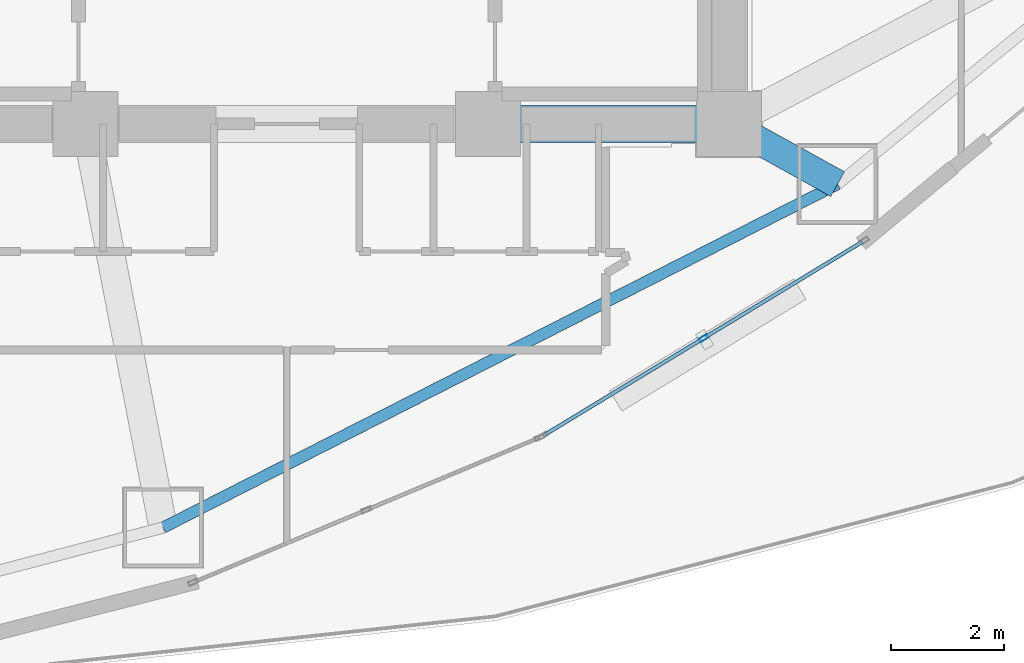
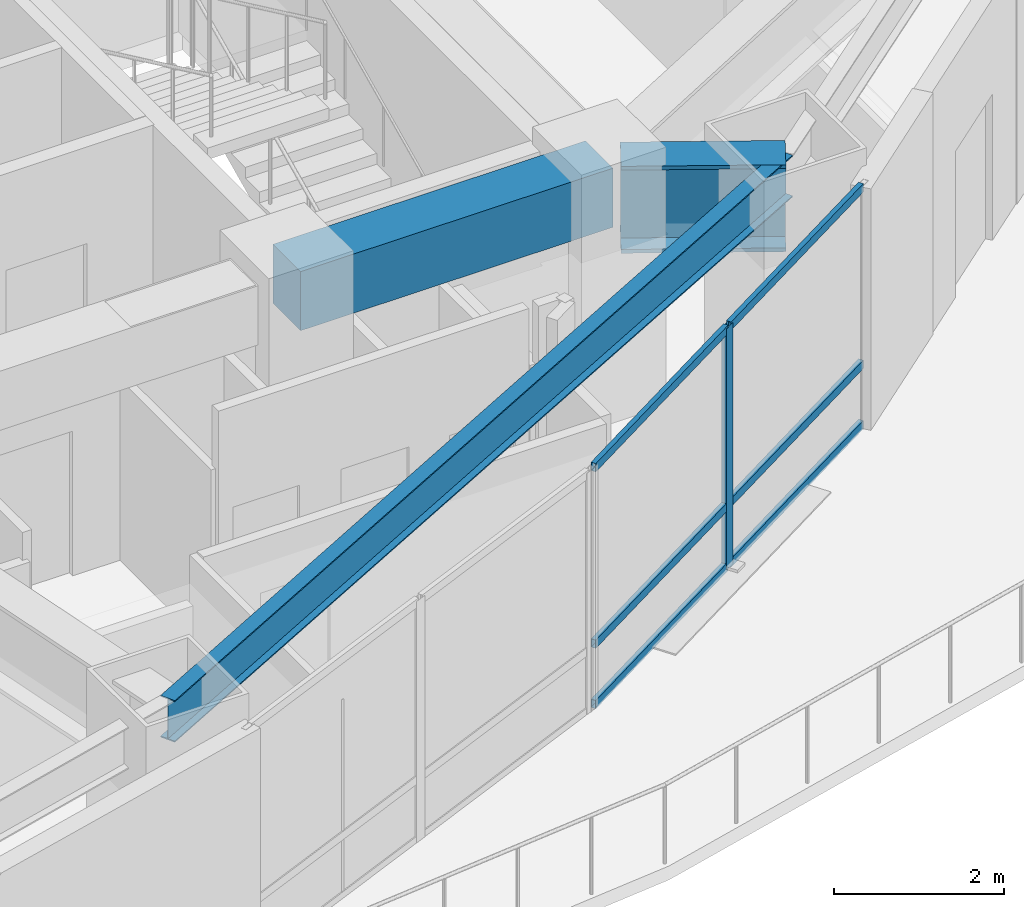
# One storey, part 5 of 19: 7 members, 3 beams, 1 element without a shape of its own.
"""IFC4 building model written with IfcOpenShell, lengths in metres."""

from ifc_helpers import new_model, si_unit, direction, frame, origin, origin_2d, place, context, subcontext, project, spatial, rectangle, hollow_rectangle, i_section, extrude, material, layer, layer_set, material_profile, profile_set, type_object, element, aggregate, save


model = new_model("IFC4")

# Units and contexts
model_context = context("Model", 3, precision=1e-05, world=origin(), true_north=direction((0.0, 1.0)))
body_context = subcontext(model_context, "Body", "Model", "MODEL_VIEW")
ifc_project = project(units=[si_unit("LENGTHUNIT", "METRE"), si_unit("AREAUNIT", "SQUARE_METRE"), si_unit("VOLUMEUNIT", "CUBIC_METRE"), si_unit("PLANEANGLEUNIT", "RADIAN"), si_unit("MASSUNIT", "GRAM", prefix="KILO")], contexts=[model_context])

# Site, building, storey
site_placement = place(None, origin())
site = spatial("IfcSite", under=ifc_project, at=site_placement, CompositionType="ELEMENT")
building_placement = place(site_placement, origin())
building = spatial("IfcBuilding", under=site, at=building_placement, Name="Menara Vayukalpa", CompositionType="ELEMENT")
storey_placement = place(building_placement, frame((0.0, 0.0, 68.52001953125)))
storey = spatial("IfcBuildingStorey", under=building, at=storey_placement, Name="L16", CompositionType="ELEMENT", Elevation=68.52001953125)

# Beams
ifc_material_1 = material(Name="Concrete C60/75", Category="concrete")
ifc_material_profile_1 = material_profile(ifc_material_1, rectangle(XDim=0.64990234375, YDim=0.85009765625, at=origin_2d()), Name="RC 650x850")
ifc_profile_set_1 = profile_set([ifc_material_profile_1], Name="Concrete C60/75")
beam_type_1 = type_object("IfcBeamType", Name="BM-CB1", PredefinedType="BEAM", material=ifc_profile_set_1)
beam_1_placement = place(storey_placement, frame((29.14990234375, 17.199951171875, 3.044921875), z_axis=(1.0, 0.0, 0.0), x_axis=(0.0, 1.0, 0.0)))
element("IfcBeam", 1, at=beam_1_placement, inside=storey, type_object=beam_type_1, Name="L16 Core Tie Beam CBR3", PredefinedType="BEAM", context=body_context, shape_type="SweptSolid", body=[
    extrude(rectangle(XDim=0.64990234375, YDim=0.85009765625, at=origin_2d()), origin(), (0.0, 0.0, 1.0), 4.25),
])
ifc_material_2 = material(Name="Steel S355", Category="steel")
ifc_material_profile_2 = material_profile(ifc_material_2, i_section(OverallWidth=0.199951171875, OverallDepth=0.60009765625, WebThickness=0.010986328125, FlangeThickness=0.01708984375, at=origin_2d()), Name="WF 600x200x11x17")
ifc_profile_set_2 = profile_set([ifc_material_profile_2], Name="Steel S355")
beam_type_2 = type_object("IfcBeamType", Name="BM-SP1", PredefinedType="SPANDREL", material=ifc_profile_set_2)
beam_2_placement = place(storey_placement, frame((23.41943359375, 10.0771484375, 3.169921875), z_axis=(0.891100743313, 0.453805536841, 0.0), x_axis=(-0.453805536841, 0.891100743313, 0.0)))
element("IfcBeam", 2, at=beam_2_placement, inside=storey, type_object=beam_type_2, Name="L16 Perimeter Spandrel Beam SP08", PredefinedType="SPANDREL", context=body_context, shape_type="SweptSolid", body=[
    extrude(i_section(OverallWidth=0.199951171875, OverallDepth=0.60009765625, WebThickness=0.010986328125, FlangeThickness=0.01708984375, at=origin_2d()), origin(), (0.0, 0.0, 1.0), 13.352783203125),
])
ifc_material_3 = material(Name="Steel S460", Category="steel")
ifc_material_profile_3 = material_profile(ifc_material_3, i_section(OverallWidth=0.5, OverallDepth=1.25, WebThickness=0.028076171875, FlangeThickness=0.054931640625, at=origin_2d()), Name="WG 1250x500x28x55")
ifc_profile_set_3 = profile_set([ifc_material_profile_3], Name="Steel S460")
beam_type_3 = type_object("IfcBeamType", Name="BM-TG2", PredefinedType="BEAM", material=ifc_profile_set_3)
beam_3_placement = place(storey_placement, frame((33.61865234375, 17.078857421875, 2.844970703125), z_axis=(0.87459548214, -0.484853320727, 0.0), x_axis=(0.484853320727, 0.87459548214, 0.0)))
element("IfcBeam", 3, at=beam_3_placement, inside=storey, type_object=beam_type_3, Name="L16 Primary Radial Girder RG09", PredefinedType="BEAM", context=body_context, shape_type="SweptSolid", body=[
    extrude(i_section(OverallWidth=0.5, OverallDepth=1.25, WebThickness=0.028076171875, FlangeThickness=0.054931640625, at=origin_2d()), origin(), (0.0, 0.0, 1.0), 1.943115234375),
])

# Curtain wall, members
ifc_material_4 = material(Name="Anodised Terracotta Aluminium Alloy 6063-T6", Category="masonry")
ifc_layer = layer(ifc_material_4, 0.1650390625)
ifc_layer_set = layer_set([ifc_layer], Name="Anodised Terracotta Aluminium Alloy 6063-T6")
curtain_wall_type = type_object("IfcCurtainWallType", Name="CW-CW2", PredefinedType="USERDEFINED", material=ifc_layer_set)
curtain_wall_placement = place(storey_placement, origin())
curtain_wall = element("IfcCurtainWall", 4, at=curtain_wall_placement, inside=storey, type_object=curtain_wall_type, Name="L16 Low Rise Terracotta Ribbon Curtain Wall CW2 17", ObjectType="UNITISED", PredefinedType="USERDEFINED")
ifc_material_5 = material(Name="Anodised Terracotta Aluminium Alloy 6063-T6", Category="masonry")
ifc_material_profile_4 = material_profile(ifc_material_5, hollow_rectangle(XDim=0.070068359375, YDim=0.1650390625, WallThickness=0.00390625, at=origin_2d()), Name="ALU 70x165x4")
ifc_profile_set_4 = profile_set([ifc_material_profile_4], Name="Anodised Terracotta Aluminium Alloy 6063-T6")
member_type_1 = type_object("IfcMemberType", Name="CWM-CW2", PredefinedType="MULLION", material=ifc_profile_set_4)
member_1_placement = place(storey_placement, frame((32.9560546875, 13.418701171875, 0.0), z_axis=(0.0, 0.0, 1.0), x_axis=(-0.519181964377, 0.854663727945, 0.0)))
member_1 = element("IfcMember", 5, at=member_1_placement, type_object=member_type_1, Name="CW2 mullion 2", PredefinedType="MULLION", context=body_context, shape_type="SweptSolid", body=[
    extrude(hollow_rectangle(XDim=0.070068359375, YDim=0.1650390625, WallThickness=0.00390625, at=origin_2d()), origin(), (0.0, 0.0, 1.0), 3.469970703125),
])
ifc_material_6 = material(Name="Anodised Terracotta Aluminium Alloy 6063-T6", Category="masonry")
ifc_material_profile_5 = material_profile(ifc_material_6, hollow_rectangle(XDim=0.06494140625, YDim=0.1201171875, WallThickness=0.00341796875, at=origin_2d()), Name="ALU 65x120x3.5")
ifc_profile_set_5 = profile_set([ifc_material_profile_5], Name="Anodised Terracotta Aluminium Alloy 6063-T6")
member_type_2 = type_object("IfcMemberType", Name="CWT-CW2", PredefinedType="USERDEFINED", material=ifc_profile_set_5)
member_2_placement = place(storey_placement, frame((30.155029296875, 11.717041015625, 0.032470703125), z_axis=(0.854676552714, 0.519160851992, 0.0), x_axis=(-0.519160851992, 0.854676552714, 0.0)))
member_2 = element("IfcMember", 6, at=member_2_placement, type_object=member_type_2, Name="CW2 transom 1.1", ObjectType="TRANSOM", PredefinedType="USERDEFINED", context=body_context, shape_type="SweptSolid", body=[
    extrude(hollow_rectangle(XDim=0.06494140625, YDim=0.1201171875, WallThickness=0.00341796875, at=origin_2d()), origin(), (0.0, 0.0, 1.0), 3.242431640625),
])
member_3_placement = place(storey_placement, frame((30.155029296875, 11.717041015625, 0.89990234375), z_axis=(0.854676552714, 0.519160851992, 0.0), x_axis=(-0.519160851992, 0.854676552714, 0.0)))
member_3 = element("IfcMember", 7, at=member_3_placement, type_object=member_type_2, Name="CW2 transom 1.2", ObjectType="TRANSOM", PredefinedType="USERDEFINED", context=body_context, shape_type="SweptSolid", body=[
    extrude(hollow_rectangle(XDim=0.06494140625, YDim=0.1201171875, WallThickness=0.00341796875, at=origin_2d()), origin(), (0.0, 0.0, 1.0), 3.242431640625),
])
member_4_placement = place(storey_placement, frame((30.155029296875, 11.717041015625, 3.4375), z_axis=(0.854676552714, 0.519160851992, 0.0), x_axis=(-0.519160851992, 0.854676552714, 0.0)))
member_4 = element("IfcMember", 8, at=member_4_placement, type_object=member_type_2, Name="CW2 transom 1.3", ObjectType="TRANSOM", PredefinedType="USERDEFINED", context=body_context, shape_type="SweptSolid", body=[
    extrude(hollow_rectangle(XDim=0.06494140625, YDim=0.1201171875, WallThickness=0.00341796875, at=origin_2d()), origin(), (0.0, 0.0, 1.0), 3.242431640625),
])
member_5_placement = place(storey_placement, frame((32.986083984375, 13.436767578125, 0.032470703125), z_axis=(0.854643142641, 0.519215849851, 0.0), x_axis=(-0.519215849851, 0.854643142641, 0.0)))
member_5 = element("IfcMember", 9, at=member_5_placement, type_object=member_type_2, Name="CW2 transom 2.1", ObjectType="TRANSOM", PredefinedType="USERDEFINED", context=body_context, shape_type="SweptSolid", body=[
    extrude(hollow_rectangle(XDim=0.06494140625, YDim=0.1201171875, WallThickness=0.00341796875, at=origin_2d()), origin(), (0.0, 0.0, 1.0), 3.24267578125),
])
member_6_placement = place(storey_placement, frame((32.986083984375, 13.436767578125, 0.89990234375), z_axis=(0.854643142641, 0.519215849851, 0.0), x_axis=(-0.519215849851, 0.854643142641, 0.0)))
member_6 = element("IfcMember", 10, at=member_6_placement, type_object=member_type_2, Name="CW2 transom 2.2", ObjectType="TRANSOM", PredefinedType="USERDEFINED", context=body_context, shape_type="SweptSolid", body=[
    extrude(hollow_rectangle(XDim=0.06494140625, YDim=0.1201171875, WallThickness=0.00341796875, at=origin_2d()), origin(), (0.0, 0.0, 1.0), 3.24267578125),
])
member_7_placement = place(storey_placement, frame((32.986083984375, 13.436767578125, 3.4375), z_axis=(0.854643142641, 0.519215849851, 0.0), x_axis=(-0.519215849851, 0.854643142641, 0.0)))
member_7 = element("IfcMember", 11, at=member_7_placement, type_object=member_type_2, Name="CW2 transom 2.3", ObjectType="TRANSOM", PredefinedType="USERDEFINED", context=body_context, shape_type="SweptSolid", body=[
    extrude(hollow_rectangle(XDim=0.06494140625, YDim=0.1201171875, WallThickness=0.00341796875, at=origin_2d()), origin(), (0.0, 0.0, 1.0), 3.24267578125),
])
aggregate(curtain_wall, [member_1, member_2, member_3, member_4, member_5, member_6, member_7])

save(model, "model.ifc")
